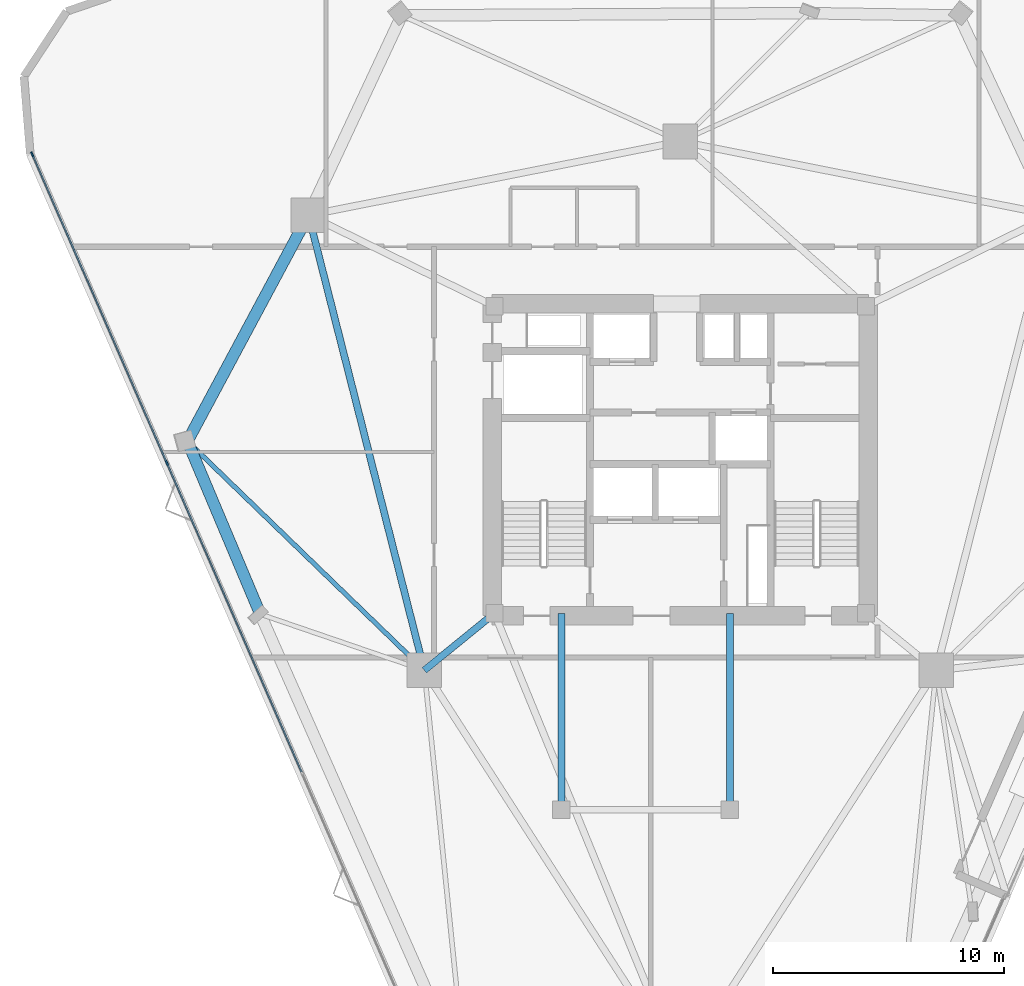
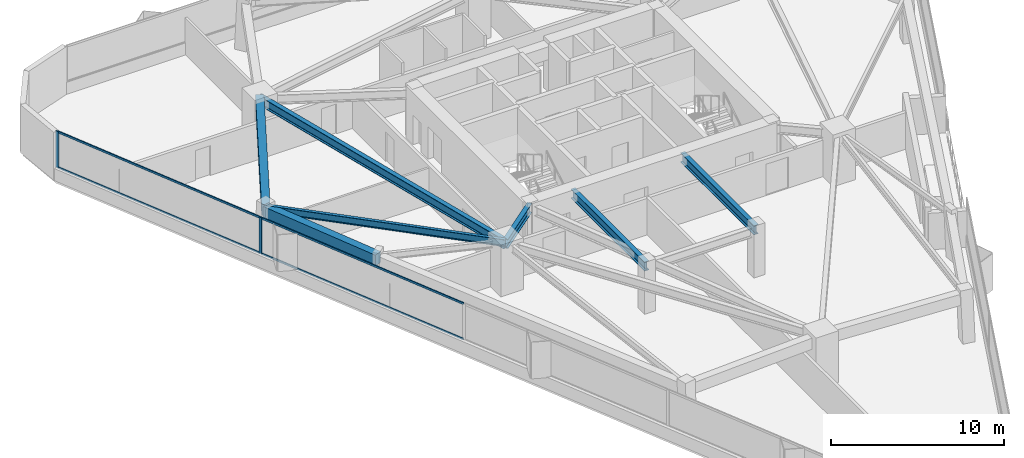
# One storey, part 4 of 11: 7 beams, 6 members, 1 element without a shape of its own.
"""IFC4 building model written with IfcOpenShell, lengths in metres."""

from ifc_helpers import new_model, si_unit, direction, frame, origin, origin_2d, place, context, subcontext, project, spatial, rectangle, i_section, extrude, material, layer, layer_set, material_profile, profile_set, type_object, element, aggregate, save


model = new_model("IFC4")

# Units and contexts
model_context = context("Model", 3, precision=1e-05, world=origin(), true_north=direction((0.0, 1.0)))
body_context = subcontext(model_context, "Body", "Model", "MODEL_VIEW")
ifc_project = project(units=[si_unit("LENGTHUNIT", "METRE"), si_unit("AREAUNIT", "SQUARE_METRE"), si_unit("VOLUMEUNIT", "CUBIC_METRE"), si_unit("PLANEANGLEUNIT", "RADIAN"), si_unit("MASSUNIT", "GRAM", prefix="KILO")], contexts=[model_context])

# Site, building, storey
site_placement = place(None, origin())
site = spatial("IfcSite", under=ifc_project, at=site_placement, CompositionType="ELEMENT")
building_placement = place(site_placement, origin())
building = spatial("IfcBuilding", under=site, at=building_placement, Name="Talyreon Biosciences Tower", CompositionType="ELEMENT")
storey_placement = place(building_placement, frame((0.0, 0.0, 149.10009765625)))
storey = spatial("IfcBuildingStorey", under=building, at=storey_placement, Name="L39", CompositionType="ELEMENT", Elevation=149.10009765625)

# Curtain wall, members
ifc_material_1 = material(Name="Thermally broken aluminium and low-E glazing", Category="aluminium")
ifc_layer = layer(ifc_material_1, 0.205078125)
ifc_layer_set = layer_set([ifc_layer], Name="Thermally broken aluminium and low-E glazing")
curtain_wall_type = type_object("IfcCurtainWallType", Name="CurtainWall_SkyGardenLoggia", PredefinedType="NOTDEFINED", material=ifc_layer_set)
curtain_wall_placement = place(storey_placement, origin())
curtain_wall = element("IfcCurtainWall", 1, at=curtain_wall_placement, inside=storey, type_object=curtain_wall_type, Name="L39 Unitised Curtain Wall FCW-L39-15", PredefinedType="NOTDEFINED")
ifc_material_2 = material(Name="Anodised thermally broken aluminium", Category="aluminium")
ifc_material_profile_1 = material_profile(ifc_material_2, rectangle(XDim=0.074951171875, YDim=0.2099609375, at=origin_2d()), Name="ALUM MULLION 75x210")
ifc_profile_set_1 = profile_set([ifc_material_profile_1], Name="Anodised thermally broken aluminium")
member_type_1 = type_object("IfcMemberType", Name="CWMullion_75x210", PredefinedType="MULLION", material=ifc_profile_set_1)
member_1_placement = place(storey_placement, frame((43.762451171875, 67.861328125, 0.809814453125), z_axis=(0.0, 0.0, 1.0), x_axis=(-0.916646882049, -0.399698003034, 0.0)))
member_1 = element("IfcMember", 2, at=member_1_placement, type_object=member_type_1, Name="CW7 mullion 4", PredefinedType="MULLION", context=body_context, shape_type="SweptSolid", body=[
    extrude(rectangle(XDim=0.074951171875, YDim=0.2099609375, at=origin_2d()), origin(), (0.0, 0.0, 1.0), 2.565185546875),
])
member_2_placement = place(storey_placement, frame((37.929443359375, 81.238525390625, 0.809814453125), z_axis=(0.0, 0.0, 1.0), x_axis=(-0.916646882049, -0.399698003034, 0.0)))
member_2 = element("IfcMember", 3, at=member_2_placement, type_object=member_type_1, Name="CW7 mullion 5", PredefinedType="MULLION", context=body_context, shape_type="SweptSolid", body=[
    extrude(rectangle(XDim=0.074951171875, YDim=0.2099609375, at=origin_2d()), origin(), (0.0, 0.0, 1.0), 2.565185546875),
])
ifc_material_profile_2 = material_profile(ifc_material_2, rectangle(XDim=0.06494140625, YDim=0.139892578125, at=origin_2d()), Name="ALUM TRANSOM 65x140")
ifc_profile_set_2 = profile_set([ifc_material_profile_2], Name="Anodised thermally broken aluminium")
member_type_2 = type_object("IfcMemberType", Name="CWTransom_65x140", PredefinedType="USERDEFINED", material=ifc_profile_set_2)
member_3_placement = place(storey_placement, frame((49.595458984375, 54.48388671875, 0.84228515625), z_axis=(-0.399696725233, 0.916647439225, 0.0), x_axis=(-0.916647439225, -0.399696725233, 0.0)))
member_3 = element("IfcMember", 4, at=member_3_placement, type_object=member_type_2, Name="CW7 transom 3.1", ObjectType="TRANSOM", PredefinedType="USERDEFINED", context=body_context, shape_type="SweptSolid", body=[
    extrude(rectangle(XDim=0.06494140625, YDim=0.139892578125, at=origin_2d()), origin(), (0.0, 0.0, 1.0), 14.556396484375),
])
member_4_placement = place(storey_placement, frame((49.595458984375, 54.48388671875, 3.34228515625), z_axis=(-0.399696725233, 0.916647439225, 0.0), x_axis=(-0.916647439225, -0.399696725233, 0.0)))
member_4 = element("IfcMember", 5, at=member_4_placement, type_object=member_type_2, Name="CW7 transom 3.2", ObjectType="TRANSOM", PredefinedType="USERDEFINED", context=body_context, shape_type="SweptSolid", body=[
    extrude(rectangle(XDim=0.06494140625, YDim=0.139892578125, at=origin_2d()), origin(), (0.0, 0.0, 1.0), 14.556396484375),
])
member_5_placement = place(storey_placement, frame((43.74755859375, 67.8955078125, 0.84228515625), z_axis=(-0.399703534205, 0.916644470198, 0.0), x_axis=(-0.916644470198, -0.399703534205, 0.0)))
member_5 = element("IfcMember", 6, at=member_5_placement, type_object=member_type_2, Name="CW7 transom 4.1", ObjectType="TRANSOM", PredefinedType="USERDEFINED", context=body_context, shape_type="SweptSolid", body=[
    extrude(rectangle(XDim=0.06494140625, YDim=0.139892578125, at=origin_2d()), origin(), (0.0, 0.0, 1.0), 14.518798828125),
])
member_6_placement = place(storey_placement, frame((43.74755859375, 67.8955078125, 3.34228515625), z_axis=(-0.399703534205, 0.916644470198, 0.0), x_axis=(-0.916644470198, -0.399703534205, 0.0)))
member_6 = element("IfcMember", 7, at=member_6_placement, type_object=member_type_2, Name="CW7 transom 4.2", ObjectType="TRANSOM", PredefinedType="USERDEFINED", context=body_context, shape_type="SweptSolid", body=[
    extrude(rectangle(XDim=0.06494140625, YDim=0.139892578125, at=origin_2d()), origin(), (0.0, 0.0, 1.0), 14.518798828125),
])
aggregate(curtain_wall, [member_1, member_2, member_3, member_4, member_5, member_6])

# Beams
ifc_material_3 = material(Name="Precast concrete C45/55", Category="concrete")
ifc_material_profile_3 = material_profile(ifc_material_3, rectangle(XDim=0.5, YDim=0.780029296875, at=origin_2d()), Name="RCB 500x780")
ifc_profile_set_3 = profile_set([ifc_material_profile_3], Name="Precast concrete C45/55")
beam_type_1 = type_object("IfcBeamType", Name="ExpressedSpandrel_500x780", PredefinedType="SPANDREL", material=ifc_profile_set_3)
beam_1_placement = place(storey_placement, frame((49.897705078125, 78.5986328125, 2.98486328125), z_axis=(-0.472106764927, -0.881541378785, 0.0), x_axis=(0.881541378785, -0.472106764927, 0.0)))
element("IfcBeam", 8, at=beam_1_placement, inside=storey, type_object=beam_type_1, Name="L39 Expressed Horizontal Concrete Spandrel 09", PredefinedType="SPANDREL", context=body_context, shape_type="SweptSolid", body=[
    extrude(rectangle(XDim=0.5, YDim=0.780029296875, at=origin_2d()), origin(), (0.0, 0.0, 1.0), 11.110107421875),
])
beam_2_placement = place(storey_placement, frame((44.652587890625, 68.8046875, 2.98486328125), z_axis=(0.388312079431, -0.921527931735, 0.0), x_axis=(0.921527931735, 0.388312079431, 0.0)))
element("IfcBeam", 9, at=beam_2_placement, inside=storey, type_object=beam_type_1, Name="L39 Expressed Horizontal Concrete Spandrel 10", PredefinedType="SPANDREL", context=body_context, shape_type="SweptSolid", body=[
    extrude(rectangle(XDim=0.5, YDim=0.780029296875, at=origin_2d()), origin(), (0.0, 0.0, 1.0), 8.12939453125),
])
ifc_material_4 = material(Name="Steel SM355", Category="steel")
ifc_material_profile_4 = material_profile(ifc_material_4, i_section(OverallWidth=0.300048828125, OverallDepth=0.64990234375, WebThickness=0.01611328125, FlangeThickness=0.031005859375, FilletRadius=0.027099609375, at=origin_2d()), Name="HE650B")
ifc_profile_set_4 = profile_set([ifc_material_profile_4], Name="Steel SM355")
beam_type_2 = type_object("IfcBeamType", Name="SteelBeam_HE650B", PredefinedType="BEAM", material=ifc_profile_set_4)
beam_3_placement = place(storey_placement, frame((49.897705078125, 78.5986328125, 3.0498046875), z_axis=(0.246537082299, -0.969133358755, 0.0), x_axis=(0.969133358755, 0.246537082299, 0.0)))
element("IfcBeam", 10, at=beam_3_placement, inside=storey, type_object=beam_type_2, Name="L39 Mega-Ring Girder 5", PredefinedType="BEAM", context=body_context, shape_type="SweptSolid", body=[
    extrude(i_section(OverallWidth=0.300048828125, OverallDepth=0.64990234375, WebThickness=0.01611328125, FlangeThickness=0.031005859375, FilletRadius=0.027099609375, at=origin_2d()), origin(), (0.0, 0.0, 1.0), 20.34619140625),
])
beam_4_placement = place(storey_placement, frame((57.949951171875, 61.35009765625, 3.0498046875), z_axis=(-0.775755154013, -0.631034025249, 0.0), x_axis=(0.631034025249, -0.775755154013, 0.0)))
element("IfcBeam", 11, at=beam_4_placement, inside=storey, type_object=beam_type_2, Name="L39 Radial Primary Girder 6", PredefinedType="BEAM", context=body_context, shape_type="SweptSolid", body=[
    extrude(i_section(OverallWidth=0.300048828125, OverallDepth=0.64990234375, WebThickness=0.01611328125, FlangeThickness=0.031005859375, FilletRadius=0.027099609375, at=origin_2d()), origin(), (0.0, 0.0, 1.0), 3.913818359375),
])
for number, where, z_axis, x_axis, name in (
    (12, (60.85009765625, 52.840087890625, 3.0498046875), (0.0, 1.0, 0.0), (-1.0, 0.0, 0.0), "L39 Crown Shaft Tie Girder W"),
    (13, (68.14990234375, 52.840087890625, 3.0498046875), (0.0, 1.0, 0.0), (-1.0, 0.0, 0.0), "L39 Crown Shaft Tie Girder E"),
):
    element("IfcBeam", number, at=place(storey_placement, frame(where, z_axis=z_axis, x_axis=x_axis)), inside=storey, type_object=beam_type_2, Name=name, PredefinedType="BEAM", context=body_context, shape_type="SweptSolid", body=[
        extrude(i_section(OverallWidth=0.300048828125, OverallDepth=0.64990234375, WebThickness=0.01611328125, FlangeThickness=0.031005859375, FilletRadius=0.027099609375, at=origin_2d()), origin(), (0.0, 0.0, 1.0), 8.510009765625),
    ])
ifc_material_profile_5 = material_profile(ifc_material_4, i_section(OverallWidth=0.199951171875, OverallDepth=0.5, WebThickness=0.01025390625, FlangeThickness=0.01611328125, FilletRadius=0.02099609375, at=origin_2d()), Name="IPE500")
ifc_profile_set_5 = profile_set([ifc_material_profile_5], Name="Steel SM355")
beam_type_3 = type_object("IfcBeamType", Name="SteelJoist_IPE500", PredefinedType="JOIST", material=ifc_profile_set_5)
beam_5_placement = place(storey_placement, frame((54.913818359375, 58.88037109375, 3.125), z_axis=(-0.718808881269, 0.695207733133, 0.0), x_axis=(-0.695207733133, -0.718808881269, 0.0)))
element("IfcBeam", 14, at=beam_5_placement, inside=storey, type_object=beam_type_3, Name="L39 Radial Composite Floor Joist PC-SW1", PredefinedType="JOIST", context=body_context, shape_type="SweptSolid", body=[
    extrude(i_section(OverallWidth=0.199951171875, OverallDepth=0.5, WebThickness=0.01025390625, FlangeThickness=0.01611328125, FilletRadius=0.02099609375, at=origin_2d()), origin(), (0.0, 0.0, 1.0), 14.275390625),
])

save(model, "model.ifc")
